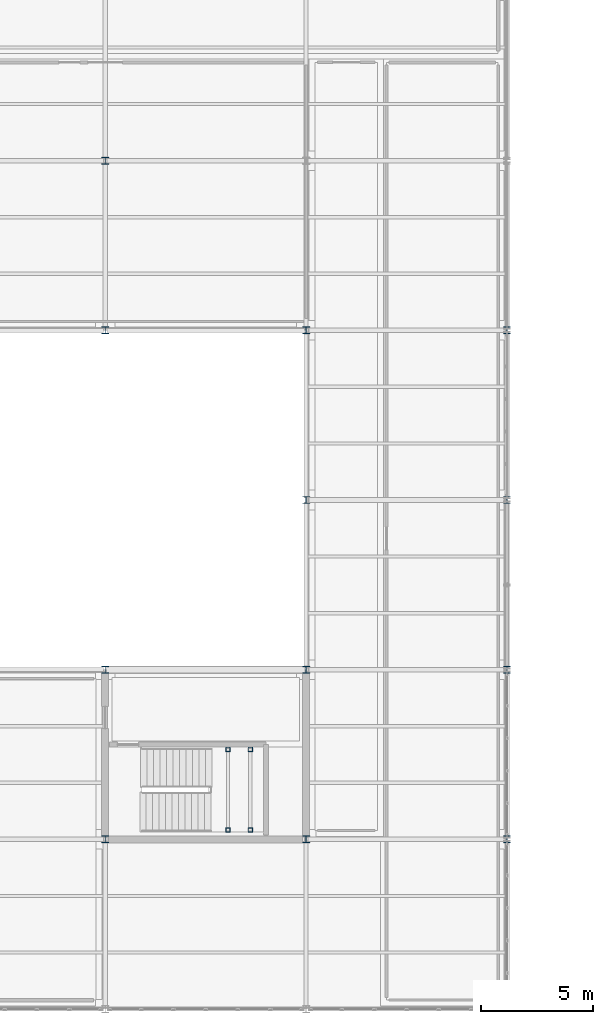
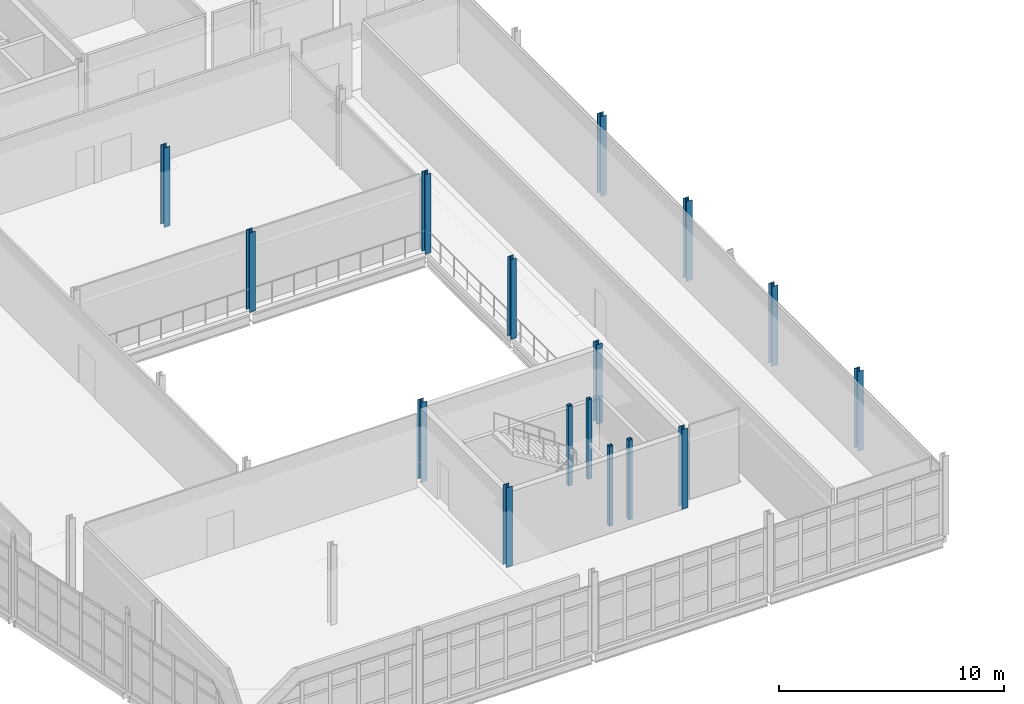
# One storey, part 23 of 166: 16 columns.
"""IFC4 building model written with IfcOpenShell, lengths in metres."""

from ifc_helpers import new_model, si_unit, direction, frame, origin, origin_2d, place, context, subcontext, project, spatial, hollow_rectangle, i_section, extrude, material, material_profile, profile_set, type_object, element, save


model = new_model("IFC4")

# Units and contexts
model_context = context("Model", 3, precision=1e-05, world=origin(), true_north=direction((0.0, 1.0)))
body_context = subcontext(model_context, "Body", "Model", "MODEL_VIEW")
ifc_project = project(units=[si_unit("LENGTHUNIT", "METRE"), si_unit("AREAUNIT", "SQUARE_METRE"), si_unit("VOLUMEUNIT", "CUBIC_METRE"), si_unit("PLANEANGLEUNIT", "RADIAN"), si_unit("MASSUNIT", "GRAM", prefix="KILO")], contexts=[model_context])

# Site, building, storey
site_placement = place(None, origin())
site = spatial("IfcSite", under=ifc_project, at=site_placement, CompositionType="ELEMENT")
building_placement = place(site_placement, origin())
building = spatial("IfcBuilding", under=site, at=building_placement, Name="Caisbarro Railhouse Central Library", CompositionType="ELEMENT")
storey_placement = place(building_placement, frame((0.0, 0.0, 9.360107421875)))
storey = spatial("IfcBuildingStorey", under=building, at=storey_placement, Name="L02", CompositionType="ELEMENT", Elevation=9.360107421875)

# Columns
ifc_material = material(Name="Steel ASTM A572 Grade 50", Category="steel")
ifc_material_profile_1 = material_profile(ifc_material, i_section(OverallWidth=0.305908203125, OverallDepth=0.31103515625, WebThickness=0.010986328125, FlangeThickness=0.01708984375, FilletRadius=0.014892578125, at=origin_2d()), Name="W310X107.0")
ifc_profile_set_1 = profile_set([ifc_material_profile_1], Name="Steel ASTM A572 Grade 50")
column_type_1 = type_object("IfcColumnType", Name="COL-C06", PredefinedType="COLUMN", material=ifc_profile_set_1)
for number, where, z_axis, x_axis, name in (
    (1, (135.0, 68.39990234375, 0.0), (0.0, 0.0, 1.0), (1.0, 0.0, 0.0), "C06 column L02 (135.0,68.4)"),
    (2, (135.0, 76.0, 0.0), (0.0, 0.0, 1.0), (1.0, 0.0, 0.0), "C06 column L02 (135.0,76.0)"),
    (3, (135.0, 91.199951171875, 0.0), (0.0, 0.0, 1.0), (1.0, 0.0, 0.0), "C06 column L02 (135.0,91.2)"),
    (4, (135.0, 98.800048828125, 0.0), (0.0, 0.0, 1.0), (1.0, 0.0, 0.0), "C06 column L02 (135.0,98.8)"),
    (5, (144.0, 68.39990234375, 0.0), (0.0, 0.0, 1.0), (1.0, 0.0, 0.0), "C06 column L02 (144.0,68.4)"),
    (6, (144.0, 76.0, 0.0), (0.0, 0.0, 1.0), (1.0, 0.0, 0.0), "C06 column L02 (144.0,76.0)"),
    (7, (144.0, 83.60009765625, 0.0), (0.0, 0.0, 1.0), (1.0, 0.0, 0.0), "C06 column L02 (144.0,83.6)"),
    (8, (144.0, 91.199951171875, 0.0), (0.0, 0.0, 1.0), (1.0, 0.0, 0.0), "C06 column L02 (144.0,91.2)"),
    (9, (153.0, 68.39990234375, 0.0), (0.0, 0.0, 1.0), (1.0, 0.0, 0.0), "C06 column L02 (153.0,68.4)"),
    (10, (153.0, 76.0, 0.0), (0.0, 0.0, 1.0), (1.0, 0.0, 0.0), "C06 column L02 (153.0,76.0)"),
    (11, (153.0, 83.60009765625, 0.0), (0.0, 0.0, 1.0), (1.0, 0.0, 0.0), "C06 column L02 (153.0,83.6)"),
    (12, (153.0, 91.199951171875, 0.0), (0.0, 0.0, 1.0), (1.0, 0.0, 0.0), "C06 column L02 (153.0,91.2)"),
):
    element("IfcColumn", number, at=place(storey_placement, frame(where, z_axis=z_axis, x_axis=x_axis)), inside=storey, type_object=column_type_1, Name=name, PredefinedType="COLUMN", context=body_context, shape_type="SweptSolid", body=[
        extrude(i_section(OverallWidth=0.305908203125, OverallDepth=0.31103515625, WebThickness=0.010986328125, FlangeThickness=0.01708984375, FilletRadius=0.014892578125, at=origin_2d()), origin(), (0.0, 0.0, 1.0), 4.31982421875),
    ])
ifc_material_profile_2 = material_profile(ifc_material, hollow_rectangle(XDim=0.199951171875, YDim=0.199951171875, WallThickness=0.012451171875, at=origin_2d()), Name="HSS200X200X12.5")
ifc_profile_set_2 = profile_set([ifc_material_profile_2], Name="Steel ASTM A572 Grade 50")
column_type_2 = type_object("IfcColumnType", Name="COL-C10", PredefinedType="COLUMN", material=ifc_profile_set_2)
for number, where, z_axis, x_axis, name in (
    (13, (140.5, 68.820068359375, 0.0), (0.0, 0.0, 1.0), (1.0, 0.0, 0.0), "C10 Stair Landing Post K7 L02.1"),
    (14, (140.5, 72.429931640625, 0.0), (0.0, 0.0, 1.0), (1.0, 0.0, 0.0), "C10 Stair Landing Post K7 L02.2"),
    (15, (141.5, 68.820068359375, 0.0), (0.0, 0.0, 1.0), (1.0, 0.0, 0.0), "C10 Stair Landing Post K7 L02.3"),
    (16, (141.5, 72.429931640625, 0.0), (0.0, 0.0, 1.0), (1.0, 0.0, 0.0), "C10 Stair Landing Post K7 L02.4"),
):
    element("IfcColumn", number, at=place(storey_placement, frame(where, z_axis=z_axis, x_axis=x_axis)), inside=storey, type_object=column_type_2, Name=name, PredefinedType="COLUMN", context=body_context, shape_type="SweptSolid", body=[
        extrude(hollow_rectangle(XDim=0.199951171875, YDim=0.199951171875, WallThickness=0.012451171875, at=origin_2d()), origin(), (0.0, 0.0, 1.0), 4.31982421875),
    ])

save(model, "model.ifc")
